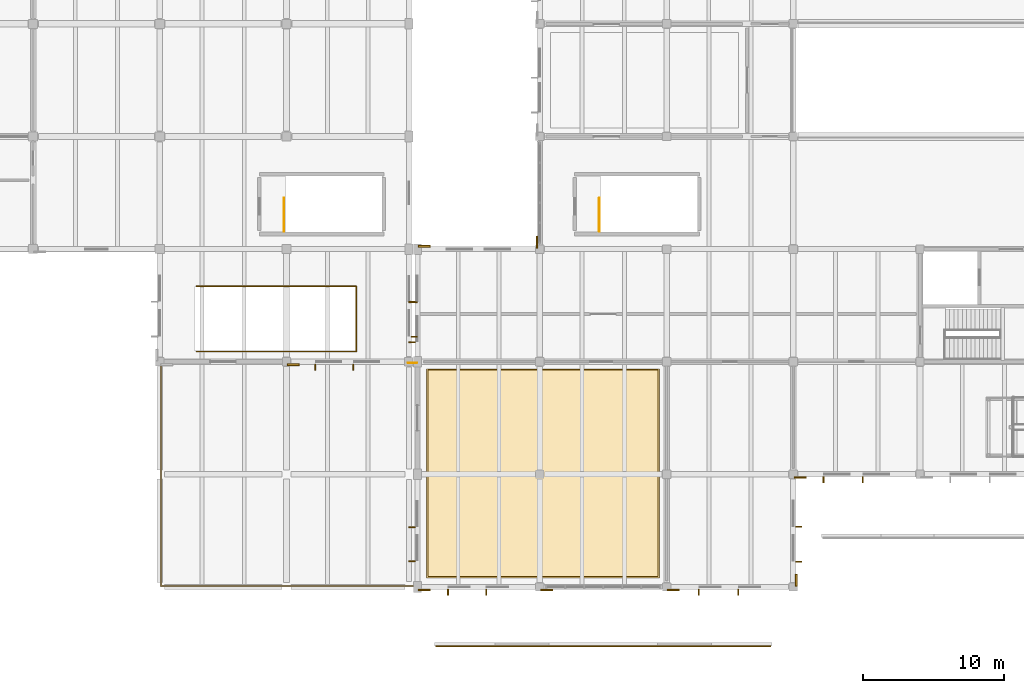
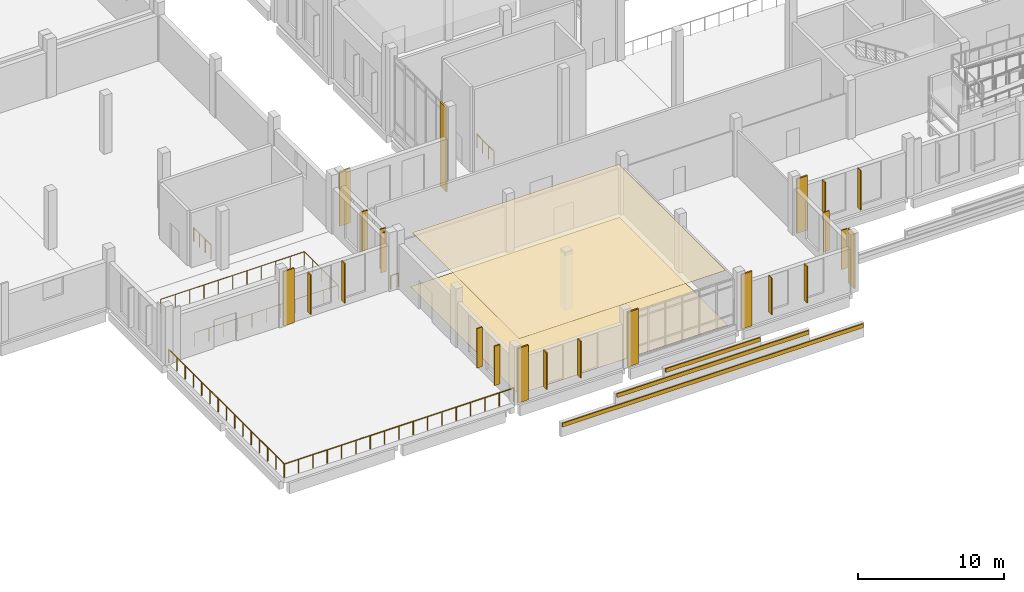
# One storey, part 97 of 110: 16 shading devices, 13 coverings, 5 railings.
"""IFC4 building model written with IfcOpenShell, lengths in metres."""

import ifcopenshell
import ifcopenshell.guid

model = None  # the IFC model being written
_history = None  # IfcOwnerHistory: only IFC2X3 demands one
_inside = {}  # id of a spatial element -> (the spatial element, [elements in it])
_under = {}  # id of a project, library or spatial element -> (it, [spatial elements below it])
_declared = {}  # id of a project -> (the project, [libraries it declares])
_typed = {}  # id of a type object -> (the type object, [elements of that type])
_made_of = {}  # id of a material, layer set ... -> (it, [elements and type objects made of it])


def new_model(schema):
    """Start an empty IFC model of exactly this schema.

    Asked for "IFC4X3", IfcOpenShell would pick the latest addendum, in which some entities
    have other attributes; the version numbers below select the first issue.
    IFC2X3 requires an IfcOwnerHistory on every rooted entity: one is made here for all.
    """
    global model, _history
    if schema == "IFC4X3":
        model = ifcopenshell.file(schema_version=(4, 3, 0, 0))
    else:
        model = ifcopenshell.file(schema=schema)
    _inside.clear()
    _under.clear()
    _declared.clear()
    _typed.clear()
    _made_of.clear()
    _history = None
    if model.schema == "IFC2X3":
        org = make("IfcOrganization", Name="unknown")
        user = make(
            "IfcPersonAndOrganization",
            ThePerson=make("IfcPerson", FamilyName="unknown"),
            TheOrganization=org,
        )
        app = make(
            "IfcApplication",
            ApplicationDeveloper=org,
            Version="unknown",
            ApplicationFullName="unknown",
            ApplicationIdentifier="unknown",
        )
        _history = make(
            "IfcOwnerHistory",
            OwningUser=user,
            OwningApplication=app,
            ChangeAction="ADDED",
            CreationDate=0,
        )
    return model


def make(cls, **values):
    """One entity of the class cls with the attributes given. An attribute that is None is left unset."""
    return model.create_entity(
        cls, **{name: value for name, value in values.items() if value is not None}
    )


def rooted(cls, **values):
    """An entity with a GlobalId (a new one), such as an element, a storey or a relation."""
    return make(cls, GlobalId=ifcopenshell.guid.new(), OwnerHistory=_history, **values)


def si_unit(unit_type, name, prefix=None):
    """IfcSIUnit, for example si_unit("LENGTHUNIT", "METRE", prefix="MILLI")."""
    return make("IfcSIUnit", UnitType=unit_type, Prefix=prefix, Name=name)


def assignment(units):
    """IfcUnitAssignment: the units of a project."""
    return None if units is None else make("IfcUnitAssignment", Units=units)


def point(xyz):
    """IfcCartesianPoint."""
    return None if xyz is None else make("IfcCartesianPoint", Coordinates=xyz)


def direction(xyz):
    """IfcDirection."""
    return None if xyz is None else make("IfcDirection", DirectionRatios=xyz)


def frame(location, z_axis=None, x_axis=None):
    """IfcAxis2Placement3D, a coordinate frame: its origin and axes. An axis left out is left unset."""
    return make(
        "IfcAxis2Placement3D",
        Location=point(location),
        Axis=direction(z_axis),
        RefDirection=direction(x_axis),
    )


def frame_2d(location, x_axis=None):
    """IfcAxis2Placement2D, a coordinate frame in the plane: its origin and x axis."""
    return make(
        "IfcAxis2Placement2D", Location=point(location), RefDirection=direction(x_axis)
    )


def origin():
    """The frame at (0, 0, 0) with its axes left unset."""
    return frame((0.0, 0.0, 0.0))


def origin_2d():
    """The frame at (0, 0) in the plane with its x axis left unset."""
    return frame_2d((0.0, 0.0))


def place(relative_to, where):
    """IfcLocalPlacement: puts the frame where relative to a parent placement (None: the world)."""
    return make(
        "IfcLocalPlacement", PlacementRelTo=relative_to, RelativePlacement=where
    )


def context(
    kind, dimensions, precision=None, world=None, true_north=None, identifier=None
):
    """IfcGeometricRepresentationContext, for example the 3D "Model" context."""
    return make(
        "IfcGeometricRepresentationContext",
        ContextIdentifier=identifier,
        ContextType=kind,
        CoordinateSpaceDimension=dimensions,
        Precision=precision,
        WorldCoordinateSystem=world,
        TrueNorth=true_north,
    )


def subcontext(parent, identifier, kind, view, scale=None):
    """IfcGeometricRepresentationSubContext, for example "Body" below "Model"."""
    return make(
        "IfcGeometricRepresentationSubContext",
        ContextIdentifier=identifier,
        ContextType=kind,
        ParentContext=parent,
        TargetScale=scale,
        TargetView=view,
    )


def project(units=None, contexts=None):
    """IfcProject with its units and contexts."""
    return rooted(
        "IfcProject",
        Name="project",
        RepresentationContexts=contexts,
        UnitsInContext=assignment(units),
    )


def spatial(cls, under=None, at=None, **own):
    """A site, building, storey or space (cls), placed at a placement, below another one or the project."""
    s = rooted(cls, ObjectPlacement=at, **own)
    if under is not None:
        _under.setdefault(under.id(), (under, []))[1].append(s)
    return s


def polyline(points):
    """IfcPolyline through the points."""
    return make("IfcPolyline", Points=[point(p) for p in points])


def profile(cls, at=None, kind="AREA", **sizes):
    """A parametric profile (cls). Its sizes go by their IFC names, for example OverallWidth=200.0."""
    return make(cls, ProfileType=kind, Position=at, **sizes)


def rectangle(**sizes):
    """IfcRectangleProfileDef."""
    return profile("IfcRectangleProfileDef", **sizes)


def circle(**sizes):
    """IfcCircleProfileDef."""
    return profile("IfcCircleProfileDef", **sizes)


def outline(outer, holes=None, kind="AREA"):
    """IfcArbitraryClosedProfileDef: a profile drawn as a closed curve; with holes, ...WithVoids."""
    if holes is None:
        return make("IfcArbitraryClosedProfileDef", ProfileType=kind, OuterCurve=outer)
    return make(
        "IfcArbitraryProfileDefWithVoids",
        ProfileType=kind,
        OuterCurve=outer,
        InnerCurves=holes,
    )


def extrude(swept, where, along, depth):
    """IfcExtrudedAreaSolid: the profile swept, set in the frame where, extruded along a direction by depth."""
    return make(
        "IfcExtrudedAreaSolid",
        SweptArea=swept,
        Position=where,
        ExtrudedDirection=direction(along),
        Depth=depth,
    )


def shape(context_of_items, identifier, shape_type, items):
    """IfcShapeRepresentation: the items that make up one representation, for example the "Body"."""
    return make(
        "IfcShapeRepresentation",
        ContextOfItems=context_of_items,
        RepresentationIdentifier=identifier,
        RepresentationType=shape_type,
        Items=items,
    )


def material(Name=None, Category=None):
    """IfcMaterial."""
    return make("IfcMaterial", Name=Name, Category=Category)


def layer(
    of_material, thickness, ventilated=None, Name=None, Category=None, Priority=None
):
    """IfcMaterialLayer: one layer of a wall or slab, of a material (None: an air gap)."""
    return make(
        "IfcMaterialLayer",
        Material=of_material,
        LayerThickness=thickness,
        IsVentilated=ventilated,
        Name=Name,
        Category=Category,
        Priority=Priority,
    )


def layer_set(layers, Name=None):
    """IfcMaterialLayerSet."""
    return make("IfcMaterialLayerSet", MaterialLayers=layers, LayerSetName=Name)


def made_of(thing, what):
    """Note that an element or type object is made of a material, layer set ...; save() writes the relation."""
    if what is not None:
        _made_of.setdefault(what.id(), (what, []))[1].append(thing)
    return thing


def type_object(cls, material=None, **own):
    """A type object (cls), such as IfcWallType, which elements share."""
    return made_of(rooted(cls, **own), material)


def element(
    cls,
    number,
    at=None,
    inside=None,
    cuts=None,
    type_object=None,
    material=None,
    context=None,
    identifier="Body",
    shape_type=None,
    held_by="IfcProductDefinitionShape",
    body=None,
    shapes=None,
    **own,
):
    """One element of the class cls, such as IfcWall. Its Tag is "e" and its number.

    at: its placement. inside: the storey or other place that contains it. cuts: it is an
    opening in that element (IfcRelVoidsElement). A single representation is given by context,
    identifier, shape_type and body (its items); several are given by shapes. held_by: the class
    of the entity that holds the representations. save() writes the other relations.
    """
    e = rooted(cls, Tag="e%d" % number, ObjectPlacement=at, **own)
    if body is not None:
        shapes = [shape(context, identifier, shape_type, body)]
    if shapes is not None:
        e.Representation = make(held_by, Representations=shapes)
    if inside is not None:
        _inside.setdefault(inside.id(), (inside, []))[1].append(e)
    if cuts is not None:
        rooted(
            "IfcRelVoidsElement", RelatingBuildingElement=cuts, RelatedOpeningElement=e
        )
    if type_object is not None:
        _typed.setdefault(type_object.id(), (type_object, []))[1].append(e)
    return made_of(e, material)


def aggregate(whole, parts):
    """IfcRelAggregates: a whole, such as a stair, and the parts it consists of."""
    return rooted("IfcRelAggregates", RelatingObject=whole, RelatedObjects=parts)


def save(model, path):
    """Write the relations noted so far, then the file.

    IfcRelAggregates (storeys below a building ...), IfcRelContainedInSpatialStructure (elements
    in a storey), IfcRelDefinesByType, IfcRelAssociatesMaterial and IfcRelDeclares: one each for
    every whole, place, type object, material and project.
    """
    for whole, parts in _under.values():
        aggregate(whole, parts)
    for where, things in _inside.values():
        rooted(
            "IfcRelContainedInSpatialStructure",
            RelatedElements=things,
            RelatingStructure=where,
        )
    for kind, things in _typed.values():
        rooted("IfcRelDefinesByType", RelatedObjects=things, RelatingType=kind)
    for what, things in _made_of.values():
        rooted("IfcRelAssociatesMaterial", RelatedObjects=things, RelatingMaterial=what)
    for by, libraries in _declared.values():
        rooted("IfcRelDeclares", RelatingContext=by, RelatedDefinitions=libraries)
    model.write(path)


model = new_model("IFC4")

# Units and contexts
model_context = context("Model", 3, precision=1e-05, world=origin(), true_north=direction((0.0, 1.0)))
body_context = subcontext(model_context, "Body", "Model", "MODEL_VIEW")
ifc_project = project(units=[si_unit("LENGTHUNIT", "METRE"), si_unit("AREAUNIT", "SQUARE_METRE"), si_unit("VOLUMEUNIT", "CUBIC_METRE"), si_unit("PLANEANGLEUNIT", "RADIAN"), si_unit("MASSUNIT", "GRAM", prefix="KILO")], contexts=[model_context])

# Site, building, storey
site_placement = place(None, origin())
site = spatial("IfcSite", under=ifc_project, at=site_placement, CompositionType="ELEMENT")
building_placement = place(site_placement, origin())
building = spatial("IfcBuilding", under=site, at=building_placement, Name="Zacnel Wholesale Market", CompositionType="ELEMENT")
storey_placement = place(building_placement, frame((0.0, 0.0, 6.300048828125)))
storey = spatial("IfcBuildingStorey", under=building, at=storey_placement, Name="L02", CompositionType="ELEMENT", Elevation=6.300048828125)

# Coverings
ifc_material_1 = material(Name="Micro-perforated acoustic gypsum ceiling")
ifc_layer_1 = layer(ifc_material_1, 0.02001953125)
ifc_layer_set_1 = layer_set([ifc_layer_1], Name="Micro-perforated acoustic gypsum ceiling")
covering_type_1 = type_object("IfcCoveringType", Name="COV-CEIL-AC-20", PredefinedType="CEILING", material=ifc_layer_set_1)
covering_1_placement = place(storey_placement, frame((0.0, 0.0, 4.5400390625)))
element("IfcCovering", 1, at=covering_1_placement, inside=storey, type_object=covering_type_1, Name="Acoustic ceiling L02-402", PredefinedType="CEILING", context=body_context, shape_type="SweptSolid", body=[
    extrude(outline(polyline([(73.050048828125, 0.75), (89.39990234375, 0.75), (89.39990234375, 15.39990234375), (73.050048828125, 15.39990234375), (73.050048828125, 0.75)])), origin(), (0.0, 0.0, 1.0), 0.02001953125),
])
ifc_material_2 = material(Name="Honed Yucatan Maya cream limestone", Category="masonry")
ifc_layer_2 = layer(ifc_material_2, 0.090087890625)
ifc_layer_set_2 = layer_set([ifc_layer_2], Name="Honed Yucatan Maya cream limestone")
covering_type_2 = type_object("IfcCoveringType", Name="COV-CLAD-FRET", PredefinedType="CLADDING", material=ifc_layer_set_2)
for number, where, z_axis, x_axis, name in (
    (2, (63.47998046875, 15.7900390625, 0.02001953125), (0.0, 0.0, 1.0), (1.0, 0.0, 0.0), "Fluted Mayan-Deco limestone pilaster L02-0107"),
    (3, (72.780029296875, -0.2099609375, 0.02001953125), (0.0, 0.0, 1.0), (1.0, 0.0, 0.0), "Fluted Mayan-Deco limestone pilaster L02-0109"),
    (4, (81.47998046875, -0.2099609375, 0.02001953125), (0.0, 0.0, 1.0), (1.0, 0.0, 0.0), "Fluted Mayan-Deco limestone pilaster L02-0110"),
    (5, (90.47998046875, -0.2099609375, 0.02001953125), (0.0, 0.0, 1.0), (1.0, 0.0, 0.0), "Fluted Mayan-Deco limestone pilaster L02-0111"),
    (6, (72.780029296875, 24.2099609375, 0.02001953125), (0.0, 0.0, 1.0), (1.0, 0.0, 0.0), "Fluted Mayan-Deco limestone pilaster L02-0112"),
    (7, (99.2099609375, 0.47998046875, 0.02001953125), (0.0, 0.0, 1.0), (0.0, 1.0, 0.0), "Fluted Mayan-Deco limestone pilaster L02-0113"),
    (8, (99.47998046875, 7.7900390625, 0.02001953125), (0.0, 0.0, 1.0), (1.0, 0.0, 0.0), "Fluted Mayan-Deco limestone pilaster L02-0114"),
):
    element("IfcCovering", number, at=place(storey_placement, frame(where, z_axis=z_axis, x_axis=x_axis)), inside=storey, type_object=covering_type_2, Name=name, PredefinedType="CLADDING", context=body_context, shape_type="SweptSolid", body=[
        extrude(rectangle(XDim=0.85009765625, YDim=0.1201171875, at=origin_2d()), origin(), (0.0, 0.0, 1.0), 4.56005859375),
    ])
covering_2_placement = place(storey_placement, frame((80.7900390625, 24.47998046875, 0.02001953125), z_axis=(0.0, 0.0, 1.0), x_axis=(0.0, 1.0, 0.0)))
element("IfcCovering", 9, at=covering_2_placement, inside=storey, type_object=covering_type_2, Name="Fluted Mayan-Deco limestone pilaster L02-0120", PredefinedType="CLADDING", context=body_context, shape_type="SweptSolid", body=[
    extrude(rectangle(XDim=0.85009765625, YDim=0.1201171875, at=origin_2d()), origin(), (0.0, 0.0, 1.0), 7.050048828125),
])
covering_3_placement = place(storey_placement, frame((85.5, -4.215087890625, 0.009765625), z_axis=(0.0, 0.0, 1.0), x_axis=(1.0, 0.0, 0.0)))
element("IfcCovering", 10, at=covering_3_placement, inside=storey, type_object=covering_type_2, Name="Mayan greca stone relief ENV-CRN-V4CAN-1", PredefinedType="CLADDING", context=body_context, shape_type="SweptSolid", body=[
    extrude(rectangle(XDim=23.800048828125, YDim=0.090087890625, at=origin_2d()), origin(), (0.0, 0.0, 1.0), 0.320068359375),
])
covering_4_placement = place(storey_placement, frame((85.5, -4.215087890625, 0.9599609375), z_axis=(0.0, 0.0, 1.0), x_axis=(1.0, 0.0, 0.0)))
element("IfcCovering", 11, at=covering_4_placement, inside=storey, type_object=covering_type_2, Name="Mayan greca stone relief ENV-CRN-V4CAN-2", PredefinedType="CLADDING", context=body_context, shape_type="SweptSolid", body=[
    extrude(rectangle(XDim=15.159912109375, YDim=0.090087890625, at=origin_2d()), origin(), (0.0, 0.0, 1.0), 0.320068359375),
])
covering_5_placement = place(storey_placement, frame((85.5, -4.215087890625, 1.7099609375), z_axis=(0.0, 0.0, 1.0), x_axis=(1.0, 0.0, 0.0)))
element("IfcCovering", 12, at=covering_5_placement, inside=storey, type_object=covering_type_2, Name="Mayan greca stone relief ENV-CRN-V4CAN-3", PredefinedType="CLADDING", context=body_context, shape_type="SweptSolid", body=[
    extrude(rectangle(XDim=7.47998046875, YDim=0.090087890625, at=origin_2d()), origin(), (0.0, 0.0, 1.0), 0.320068359375),
])
ifc_material_3 = material(Name="Food-grade epoxy resin flooring")
ifc_layer_3 = layer(ifc_material_3, 0.011962890625)
ifc_layer_set_3 = layer_set([ifc_layer_3], Name="Food-grade epoxy resin flooring")
covering_type_3 = type_object("IfcCoveringType", Name="COV-FLR-EPOXY-12", PredefinedType="FLOORING", material=ifc_layer_set_3)
covering_6_placement = place(storey_placement, origin())
element("IfcCovering", 13, at=covering_6_placement, inside=storey, type_object=covering_type_3, Name="Hygienic epoxy floor finish L02-402", PredefinedType="FLOORING", context=body_context, shape_type="SweptSolid", body=[
    extrude(outline(polyline([(72.949951171875, 0.64990234375), (89.5, 0.64990234375), (89.5, 15.5), (72.949951171875, 15.5), (72.949951171875, 0.64990234375)])), origin(), (0.0, 0.0, 1.0), 0.011962890625),
])

# Railings
ifc_material_4 = material(Name="Galvanized steel", Category="steel")
railing_type_1 = type_object("IfcRailingType", Name="RAL-STAIR-GD1150", PredefinedType="BALUSTRADE", material=ifc_material_4)
for number, where, name in (
    (14, (85.219970703125, 25.260009765625, 0.0), "Stair balustrade INT-STAIR-ST-18-GDWELL-1"),
    (15, (62.820068359375, 25.260009765625, 0.0), "Stair balustrade INT-STAIR-ST-23-GDWELL-1"),
):
    element("IfcRailing", number, at=place(storey_placement, frame(where)), inside=storey, type_object=railing_type_1, Name=name, PredefinedType="BALUSTRADE", context=body_context, shape_type="SweptSolid", body=[
        extrude(circle(Radius=0.02392578125, at=origin_2d()), frame((0.0, 0.0, 1.1259765625), z_axis=(0.0, 1.0, 0.0), x_axis=(-1.0, 0.0, 0.0)), (0.0, 0.0, 1.0), 2.369873046875),
        extrude(circle(Radius=0.02099609375, at=origin_2d()), origin(), (0.0, 0.0, 1.0), 1.101806640625),
        extrude(circle(Radius=0.02099609375, at=origin_2d()), frame((0.0, 0.7900390625, 0.0)), (0.0, 0.0, 1.0), 1.101806640625),
        extrude(circle(Radius=0.02099609375, at=origin_2d()), frame((0.0, 1.579833984375, 0.0)), (0.0, 0.0, 1.0), 1.101806640625),
        extrude(circle(Radius=0.02099609375, at=origin_2d()), frame((0.0, 2.369873046875, 0.0)), (0.0, 0.0, 1.0), 1.101806640625),
    ])
ifc_material_5 = material(Name="Steel S355", Category="steel")
ifc_layer_4 = layer(ifc_material_5, 0.080078125)
ifc_layer_set_4 = layer_set([ifc_layer_4], Name="Steel S355")
railing_type_2 = type_object("IfcRailingType", Name="RL-BAL-1150", PredefinedType="BALUSTRADE", material=ifc_layer_set_4)
railing_1_placement = place(storey_placement, frame((72.219970703125, 0.080078125, 0.0)))
element("IfcRailing", 16, at=railing_1_placement, inside=storey, type_object=railing_type_2, Name="Terrace safety balustrade GD-L02-TW-WS", PredefinedType="BALUSTRADE", context=body_context, shape_type="SweptSolid", body=[
    extrude(circle(Radius=0.02392578125, at=origin_2d()), frame((0.0, 0.0, 1.1259765625), z_axis=(-1.0, 0.0, 0.0), x_axis=(0.0, -1.0, 0.0)), (0.0, 0.0, 1.0), 18.139892578125),
    extrude(circle(Radius=0.02392578125, at=origin_2d()), frame((-18.139892578125, 0.0, 1.1259765625), z_axis=(0.0, 1.0, 0.0), x_axis=(-1.0, 0.0, 0.0)), (0.0, 0.0, 1.0), 15.83984375),
    extrude(circle(Radius=0.02099609375, at=origin_2d()), origin(), (0.0, 0.0, 1.0), 1.101806640625),
    extrude(circle(Radius=0.02099609375, at=origin_2d()), frame((-1.1337890625, 0.0, 0.0)), (0.0, 0.0, 1.0), 1.101806640625),
    extrude(circle(Radius=0.02099609375, at=origin_2d()), frame((-2.267578125, 0.0, 0.0)), (0.0, 0.0, 1.0), 1.101806640625),
    extrude(circle(Radius=0.02099609375, at=origin_2d()), frame((-3.401123046875, 0.0, 0.0)), (0.0, 0.0, 1.0), 1.101806640625),
    extrude(circle(Radius=0.02099609375, at=origin_2d()), frame((-4.534912109375, 0.0, 0.0)), (0.0, 0.0, 1.0), 1.101806640625),
    extrude(circle(Radius=0.02099609375, at=origin_2d()), frame((-5.668701171875, 0.0, 0.0)), (0.0, 0.0, 1.0), 1.101806640625),
    extrude(circle(Radius=0.02099609375, at=origin_2d()), frame((-6.802490234375, 0.0, 0.0)), (0.0, 0.0, 1.0), 1.101806640625),
    extrude(circle(Radius=0.02099609375, at=origin_2d()), frame((-7.936279296875, 0.0, 0.0)), (0.0, 0.0, 1.0), 1.101806640625),
    extrude(circle(Radius=0.02099609375, at=origin_2d()), frame((-9.06982421875, 0.0, 0.0)), (0.0, 0.0, 1.0), 1.101806640625),
    extrude(circle(Radius=0.02099609375, at=origin_2d()), frame((-10.20361328125, 0.0, 0.0)), (0.0, 0.0, 1.0), 1.101806640625),
    extrude(circle(Radius=0.02099609375, at=origin_2d()), frame((-11.33740234375, 0.0, 0.0)), (0.0, 0.0, 1.0), 1.101806640625),
    extrude(circle(Radius=0.02099609375, at=origin_2d()), frame((-12.47119140625, 0.0, 0.0)), (0.0, 0.0, 1.0), 1.101806640625),
    extrude(circle(Radius=0.02099609375, at=origin_2d()), frame((-13.60498046875, 0.0, 0.0)), (0.0, 0.0, 1.0), 1.101806640625),
    extrude(circle(Radius=0.02099609375, at=origin_2d()), frame((-14.73876953125, 0.0, 0.0)), (0.0, 0.0, 1.0), 1.101806640625),
    extrude(circle(Radius=0.02099609375, at=origin_2d()), frame((-15.872314453125, 0.0, 0.0)), (0.0, 0.0, 1.0), 1.101806640625),
    extrude(circle(Radius=0.02099609375, at=origin_2d()), frame((-17.006103515625, 0.0, 0.0)), (0.0, 0.0, 1.0), 1.101806640625),
    extrude(circle(Radius=0.02099609375, at=origin_2d()), frame((-18.139892578125, 0.0, 0.0)), (0.0, 0.0, 1.0), 1.101806640625),
    extrude(circle(Radius=0.02099609375, at=origin_2d()), frame((-18.139892578125, 1.13134765625, 0.0)), (0.0, 0.0, 1.0), 1.101806640625),
    extrude(circle(Radius=0.02099609375, at=origin_2d()), frame((-18.139892578125, 2.262939453125, 0.0)), (0.0, 0.0, 1.0), 1.101806640625),
    extrude(circle(Radius=0.02099609375, at=origin_2d()), frame((-18.139892578125, 3.394287109375, 0.0)), (0.0, 0.0, 1.0), 1.101806640625),
    extrude(circle(Radius=0.02099609375, at=origin_2d()), frame((-18.139892578125, 4.525634765625, 0.0)), (0.0, 0.0, 1.0), 1.101806640625),
    extrude(circle(Radius=0.02099609375, at=origin_2d()), frame((-18.139892578125, 5.656982421875, 0.0)), (0.0, 0.0, 1.0), 1.101806640625),
    extrude(circle(Radius=0.02099609375, at=origin_2d()), frame((-18.139892578125, 6.78857421875, 0.0)), (0.0, 0.0, 1.0), 1.101806640625),
    extrude(circle(Radius=0.02099609375, at=origin_2d()), frame((-18.139892578125, 7.919921875, 0.0)), (0.0, 0.0, 1.0), 1.101806640625),
    extrude(circle(Radius=0.02099609375, at=origin_2d()), frame((-18.139892578125, 9.05126953125, 0.0)), (0.0, 0.0, 1.0), 1.101806640625),
    extrude(circle(Radius=0.02099609375, at=origin_2d()), frame((-18.139892578125, 10.182861328125, 0.0)), (0.0, 0.0, 1.0), 1.101806640625),
    extrude(circle(Radius=0.02099609375, at=origin_2d()), frame((-18.139892578125, 11.314208984375, 0.0)), (0.0, 0.0, 1.0), 1.101806640625),
    extrude(circle(Radius=0.02099609375, at=origin_2d()), frame((-18.139892578125, 12.445556640625, 0.0)), (0.0, 0.0, 1.0), 1.101806640625),
    extrude(circle(Radius=0.02099609375, at=origin_2d()), frame((-18.139892578125, 13.576904296875, 0.0)), (0.0, 0.0, 1.0), 1.101806640625),
    extrude(circle(Radius=0.02099609375, at=origin_2d()), frame((-18.139892578125, 14.70849609375, 0.0)), (0.0, 0.0, 1.0), 1.101806640625),
    extrude(circle(Radius=0.02099609375, at=origin_2d()), frame((-18.139892578125, 15.83984375, 0.0)), (0.0, 0.0, 1.0), 1.101806640625),
])
railing_2_placement = place(storey_placement, frame((71.64990234375, 15.919921875, 0.0)))
element("IfcRailing", 17, at=railing_2_placement, inside=storey, type_object=railing_type_2, Name="Terrace safety balustrade GD-L02-TW-MJ", PredefinedType="BALUSTRADE", context=body_context, shape_type="SweptSolid", body=[
    extrude(circle(Radius=0.02392578125, at=origin_2d()), frame((0.0, 0.0, 1.1259765625), z_axis=(1.0, 0.0, 0.0), x_axis=(0.0, 1.0, 0.0)), (0.0, 0.0, 1.0), 0.60009765625),
    extrude(circle(Radius=0.02099609375, at=origin_2d()), origin(), (0.0, 0.0, 1.0), 1.101806640625),
    extrude(circle(Radius=0.02099609375, at=origin_2d()), frame((0.60009765625, 0.0, 0.0)), (0.0, 0.0, 1.0), 1.101806640625),
])
railing_3_placement = place(storey_placement, frame((56.60009765625, 16.739990234375, 0.0)))
element("IfcRailing", 18, at=railing_3_placement, inside=storey, type_object=railing_type_2, Name="Terrace safety balustrade GD-L02-RWELL-1B", PredefinedType="BALUSTRADE", context=body_context, shape_type="SweptSolid", body=[
    extrude(circle(Radius=0.02392578125, at=origin_2d()), frame((0.0, 0.0, 1.1259765625), z_axis=(1.0, 0.0, 0.0), x_axis=(0.0, 1.0, 0.0)), (0.0, 0.0, 1.0), 11.35986328125),
    extrude(circle(Radius=0.02392578125, at=origin_2d()), frame((11.35986328125, 0.0, 1.1259765625), z_axis=(0.0, 1.0, 0.0), x_axis=(-1.0, 0.0, 0.0)), (0.0, 0.0, 1.0), 4.6201171875),
    extrude(circle(Radius=0.02392578125, at=origin_2d()), frame((11.35986328125, 4.6201171875, 1.1259765625), z_axis=(-1.0, 0.0, 0.0), x_axis=(0.0, -1.0, 0.0)), (0.0, 0.0, 1.0), 11.35986328125),
    extrude(circle(Radius=0.02099609375, at=origin_2d()), origin(), (0.0, 0.0, 1.0), 1.101806640625),
    extrude(circle(Radius=0.02099609375, at=origin_2d()), frame((1.135986328125, 0.0, 0.0)), (0.0, 0.0, 1.0), 1.101806640625),
    extrude(circle(Radius=0.02099609375, at=origin_2d()), frame((2.27197265625, 0.0, 0.0)), (0.0, 0.0, 1.0), 1.101806640625),
    extrude(circle(Radius=0.02099609375, at=origin_2d()), frame((3.407958984375, 0.0, 0.0)), (0.0, 0.0, 1.0), 1.101806640625),
    extrude(circle(Radius=0.02099609375, at=origin_2d()), frame((4.5439453125, 0.0, 0.0)), (0.0, 0.0, 1.0), 1.101806640625),
    extrude(circle(Radius=0.02099609375, at=origin_2d()), frame((5.679931640625, 0.0, 0.0)), (0.0, 0.0, 1.0), 1.101806640625),
    extrude(circle(Radius=0.02099609375, at=origin_2d()), frame((6.81591796875, 0.0, 0.0)), (0.0, 0.0, 1.0), 1.101806640625),
    extrude(circle(Radius=0.02099609375, at=origin_2d()), frame((7.951904296875, 0.0, 0.0)), (0.0, 0.0, 1.0), 1.101806640625),
    extrude(circle(Radius=0.02099609375, at=origin_2d()), frame((9.087890625, 0.0, 0.0)), (0.0, 0.0, 1.0), 1.101806640625),
    extrude(circle(Radius=0.02099609375, at=origin_2d()), frame((10.223876953125, 0.0, 0.0)), (0.0, 0.0, 1.0), 1.101806640625),
    extrude(circle(Radius=0.02099609375, at=origin_2d()), frame((11.35986328125, 0.0, 0.0)), (0.0, 0.0, 1.0), 1.101806640625),
    extrude(circle(Radius=0.02099609375, at=origin_2d()), frame((11.35986328125, 1.155029296875, 0.0)), (0.0, 0.0, 1.0), 1.101806640625),
    extrude(circle(Radius=0.02099609375, at=origin_2d()), frame((11.35986328125, 2.31005859375, 0.0)), (0.0, 0.0, 1.0), 1.101806640625),
    extrude(circle(Radius=0.02099609375, at=origin_2d()), frame((11.35986328125, 3.465087890625, 0.0)), (0.0, 0.0, 1.0), 1.101806640625),
    extrude(circle(Radius=0.02099609375, at=origin_2d()), frame((11.35986328125, 4.6201171875, 0.0)), (0.0, 0.0, 1.0), 1.101806640625),
    extrude(circle(Radius=0.02099609375, at=origin_2d()), frame((10.223876953125, 4.6201171875, 0.0)), (0.0, 0.0, 1.0), 1.101806640625),
    extrude(circle(Radius=0.02099609375, at=origin_2d()), frame((9.087890625, 4.6201171875, 0.0)), (0.0, 0.0, 1.0), 1.101806640625),
    extrude(circle(Radius=0.02099609375, at=origin_2d()), frame((7.951904296875, 4.6201171875, 0.0)), (0.0, 0.0, 1.0), 1.101806640625),
    extrude(circle(Radius=0.02099609375, at=origin_2d()), frame((6.81591796875, 4.6201171875, 0.0)), (0.0, 0.0, 1.0), 1.101806640625),
    extrude(circle(Radius=0.02099609375, at=origin_2d()), frame((5.679931640625, 4.6201171875, 0.0)), (0.0, 0.0, 1.0), 1.101806640625),
    extrude(circle(Radius=0.02099609375, at=origin_2d()), frame((4.5439453125, 4.6201171875, 0.0)), (0.0, 0.0, 1.0), 1.101806640625),
    extrude(circle(Radius=0.02099609375, at=origin_2d()), frame((3.407958984375, 4.6201171875, 0.0)), (0.0, 0.0, 1.0), 1.101806640625),
    extrude(circle(Radius=0.02099609375, at=origin_2d()), frame((2.27197265625, 4.6201171875, 0.0)), (0.0, 0.0, 1.0), 1.101806640625),
    extrude(circle(Radius=0.02099609375, at=origin_2d()), frame((1.135986328125, 4.6201171875, 0.0)), (0.0, 0.0, 1.0), 1.101806640625),
    extrude(circle(Radius=0.02099609375, at=origin_2d()), frame((0.0, 4.6201171875, 0.0)), (0.0, 0.0, 1.0), 1.101806640625),
])

# Shading devices
ifc_material_6 = material(Name="Honed Yucatan Maya cream limestone", Category="masonry")
shading_device_type = type_object("IfcShadingDeviceType", Name="SHD-FIN-V450", PredefinedType="USERDEFINED", material=ifc_material_6)
for number, where, z_axis, x_axis, name in (
    (19, (65.0400390625, 15.6201171875, 0.51513671875), (0.0, 0.0, 1.0), (1.0, 0.0, 0.0), "Limestone sunshade fin 0119"),
    (20, (67.739990234375, 15.6201171875, 0.51513671875), (0.0, 0.0, 1.0), (1.0, 0.0, 0.0), "Limestone sunshade fin 0120"),
    (21, (72.080078125, 17.781982421875, 0.51513671875), (0.0, 0.0, 1.0), (0.0, 1.0, 0.0), "Limestone sunshade fin 0123"),
    (22, (72.080078125, 20.222900390625, 0.51513671875), (0.0, 0.0, 1.0), (0.0, 1.0, 0.0), "Limestone sunshade fin 0124"),
):
    element("IfcShadingDevice", number, at=place(storey_placement, frame(where, z_axis=z_axis, x_axis=x_axis)), inside=storey, type_object=shading_device_type, Name=name, ObjectType="SUNSHADE", PredefinedType="USERDEFINED", context=body_context, shape_type="SweptSolid", body=[
        extrude(rectangle(XDim=0.080078125, YDim=0.43994140625, at=origin_2d()), origin(), (0.0, 0.0, 1.0), 3.300048828125),
    ])
for number, where, z_axis, x_axis, name in (
    (23, (74.472900390625, -0.3798828125, 0.64501953125), (0.0, 0.0, 1.0), (1.0, 0.0, 0.0), "Limestone sunshade fin 0125"),
    (24, (77.181884765625, -0.3798828125, 0.64501953125), (0.0, 0.0, 1.0), (1.0, 0.0, 0.0), "Limestone sunshade fin 0126"),
    (25, (92.2900390625, -0.3798828125, 0.64501953125), (0.0, 0.0, 1.0), (1.0, 0.0, 0.0), "Limestone sunshade fin 0127"),
    (26, (95.090087890625, -0.3798828125, 0.64501953125), (0.0, 0.0, 1.0), (1.0, 0.0, 0.0), "Limestone sunshade fin 0128"),
):
    element("IfcShadingDevice", number, at=place(storey_placement, frame(where, z_axis=z_axis, x_axis=x_axis)), inside=storey, type_object=shading_device_type, Name=name, ObjectType="SUNSHADE", PredefinedType="USERDEFINED", context=body_context, shape_type="SweptSolid", body=[
        extrude(rectangle(XDim=0.080078125, YDim=0.43994140625, at=origin_2d()), origin(), (0.0, 0.0, 1.0), 3.050048828125),
    ])
for number, where, z_axis, x_axis, name in (
    (27, (71.919921875, 1.83203125, 0.46484375), (0.0, 0.0, 1.0), (0.0, 1.0, 0.0), "Limestone sunshade fin 0129"),
    (28, (71.919921875, 4.248046875, 0.46484375), (0.0, 0.0, 1.0), (0.0, 1.0, 0.0), "Limestone sunshade fin 0130"),
    (29, (71.919921875, 17.384033203125, 0.46484375), (0.0, 0.0, 1.0), (0.0, 1.0, 0.0), "Limestone sunshade fin 0131"),
    (30, (71.919921875, 20.248046875, 0.46484375), (0.0, 0.0, 1.0), (0.0, 1.0, 0.0), "Limestone sunshade fin 0132"),
    (31, (99.3798828125, 1.806884765625, 0.56494140625), (0.0, 0.0, 1.0), (0.0, 1.0, 0.0), "Limestone sunshade fin 0133"),
    (32, (99.3798828125, 4.27294921875, 0.56494140625), (0.0, 0.0, 1.0), (0.0, 1.0, 0.0), "Limestone sunshade fin 0134"),
    (33, (101.139892578125, 7.6201171875, 0.46484375), (0.0, 0.0, 1.0), (1.0, 0.0, 0.0), "Limestone sunshade fin 0135"),
    (34, (103.93994140625, 7.6201171875, 0.46484375), (0.0, 0.0, 1.0), (1.0, 0.0, 0.0), "Limestone sunshade fin 0136"),
):
    element("IfcShadingDevice", number, at=place(storey_placement, frame(where, z_axis=z_axis, x_axis=x_axis)), inside=storey, type_object=shading_device_type, Name=name, ObjectType="SUNSHADE", PredefinedType="USERDEFINED", context=body_context, shape_type="SweptSolid", body=[
        extrude(rectangle(XDim=0.080078125, YDim=0.43994140625, at=origin_2d()), origin(), (0.0, 0.0, 1.0), 3.300048828125),
    ])

save(model, "model.ifc")
